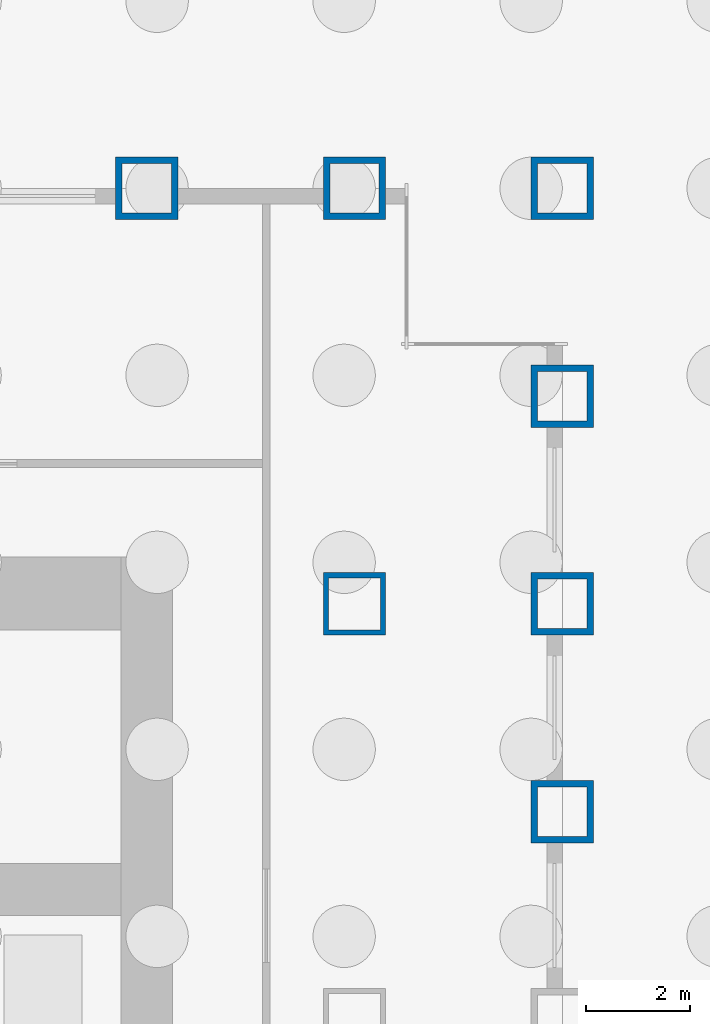
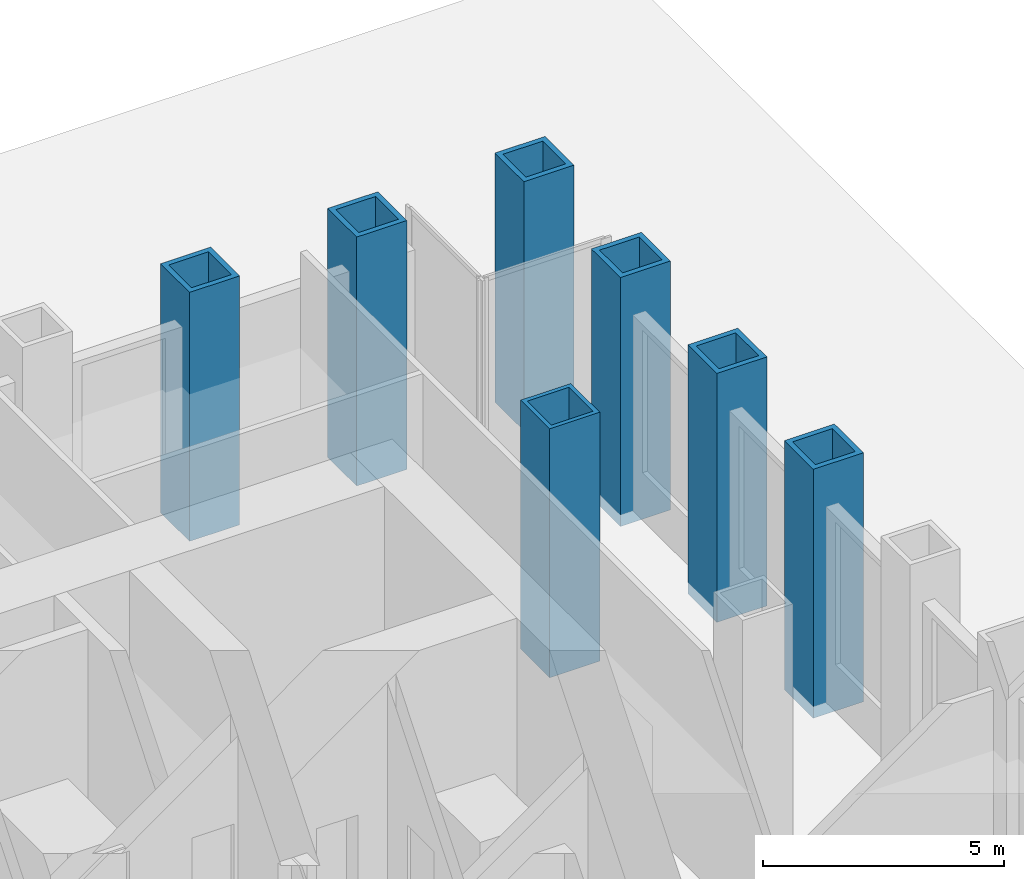
# One storey, part 5 of 17: 7 columns.
"""IFC4 building model written with IfcOpenShell, lengths in metres."""

from ifc_helpers import new_model, si_unit, direction, frame, origin, origin_2d, place, context, subcontext, project, spatial, hollow_rectangle, extrude, material, material_profile, profile_set, type_object, element, save


model = new_model("IFC4")

# Units and contexts
model_context = context("Model", 3, precision=1e-05, world=origin(), true_north=direction((0.0, 1.0)))
body_context = subcontext(model_context, "Body", "Model", "MODEL_VIEW")
ifc_project = project(units=[si_unit("LENGTHUNIT", "METRE"), si_unit("AREAUNIT", "SQUARE_METRE"), si_unit("VOLUMEUNIT", "CUBIC_METRE"), si_unit("PLANEANGLEUNIT", "RADIAN"), si_unit("MASSUNIT", "GRAM", prefix="KILO")], contexts=[model_context])

# Site, building, storey
site_placement = place(None, origin())
site = spatial("IfcSite", under=ifc_project, at=site_placement, CompositionType="ELEMENT")
building_placement = place(site_placement, origin())
building = spatial("IfcBuilding", under=site, at=building_placement, Name="Rimbunsela Tower", CompositionType="ELEMENT")
storey_placement = place(building_placement, origin())
storey = spatial("IfcBuildingStorey", under=building, at=storey_placement, Name="L00", CompositionType="ELEMENT", Elevation=0.0)

# Columns
ifc_material_1 = material(Name="Steel BJ 55 (fy 410 MPa)", Category="steel")
ifc_material_profile_1 = material_profile(ifc_material_1, hollow_rectangle(XDim=1.199951171875, YDim=1.199951171875, WallThickness=0.10009765625, at=origin_2d()), Name="BOX 1200x1200x100")
ifc_profile_set_1 = profile_set([ifc_material_profile_1], Name="Steel BJ 55 (fy 410 MPa)")
column_type_1 = type_object("IfcColumnType", Name="Column BOX 1200x1200x100", PredefinedType="COLUMN", material=ifc_profile_set_1)
column_placement = place(storey_placement, frame((46.0, 36.0, -0.300048828125), z_axis=(0.0, 0.0, 1.0), x_axis=(1.0, 0.0, 0.0)))
element("IfcColumn", 1, at=column_placement, inside=storey, type_object=column_type_1, Name="Column C7 14/L L00", PredefinedType="COLUMN", context=body_context, shape_type="SweptSolid", body=[
    extrude(hollow_rectangle(XDim=1.199951171875, YDim=1.199951171875, WallThickness=0.10009765625, at=origin_2d()), origin(), (0.0, 0.0, 1.0), 6.300048828125),
])
ifc_material_2 = material(Name="Steel BJ 55 (fy 410 MPa)", Category="steel")
ifc_material_profile_2 = material_profile(ifc_material_2, hollow_rectangle(XDim=1.199951171875, YDim=1.199951171875, WallThickness=0.125, at=origin_2d()), Name="BOX 1200x1200x125")
ifc_profile_set_2 = profile_set([ifc_material_profile_2], Name="Steel BJ 55 (fy 410 MPa)")
column_type_2 = type_object("IfcColumnType", Name="Column BOX 1200x1200x125", PredefinedType="COLUMN", material=ifc_profile_set_2)
for number, where, z_axis, x_axis, name in (
    (2, (42.0, 44.0, -0.300048828125), (0.0, 0.0, 1.0), (1.0, 0.0, 0.0), "Column C6 13/N L00"),
    (3, (46.0, 44.0, -0.300048828125), (0.0, 0.0, 1.0), (1.0, 0.0, 0.0), "Column C6 14/N L00"),
    (4, (50.0, 32.0, -0.300048828125), (0.0, 0.0, 1.0), (1.0, 0.0, 0.0), "Column C6 15/K L00"),
    (5, (50.0, 36.0, -0.300048828125), (0.0, 0.0, 1.0), (1.0, 0.0, 0.0), "Column C6 15/L L00"),
    (6, (50.0, 40.0, -0.300048828125), (0.0, 0.0, 1.0), (1.0, 0.0, 0.0), "Column C6 15/M L00"),
    (7, (50.0, 44.0, -0.300048828125), (0.0, 0.0, 1.0), (1.0, 0.0, 0.0), "Column C6 15/N L00"),
):
    element("IfcColumn", number, at=place(storey_placement, frame(where, z_axis=z_axis, x_axis=x_axis)), inside=storey, type_object=column_type_2, Name=name, PredefinedType="COLUMN", context=body_context, shape_type="SweptSolid", body=[
        extrude(hollow_rectangle(XDim=1.199951171875, YDim=1.199951171875, WallThickness=0.125, at=origin_2d()), origin(), (0.0, 0.0, 1.0), 6.300048828125),
    ])

save(model, "model.ifc")
